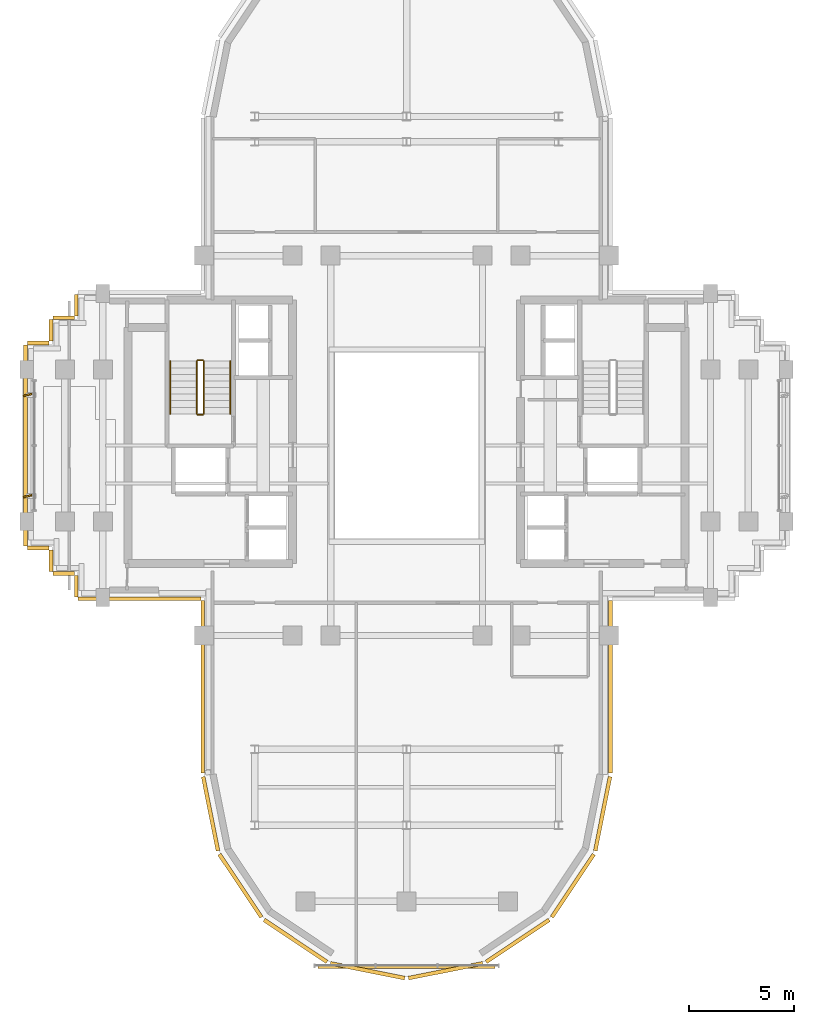
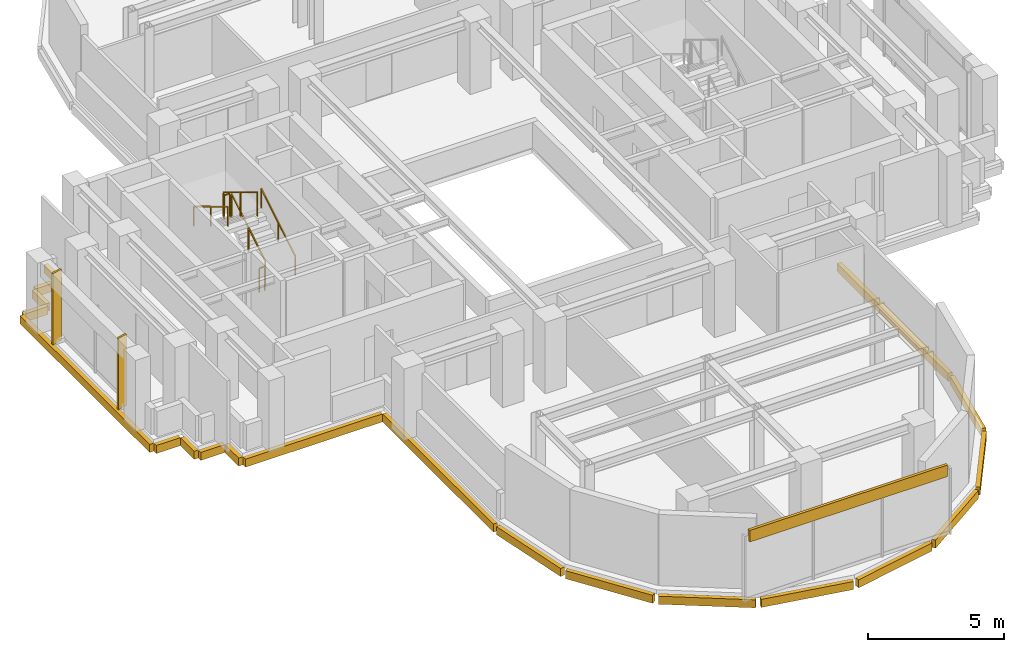
# One storey, part 9 of 11: 21 coverings, 6 railings, 2 shading devices.
"""IFC4 building model written with IfcOpenShell, lengths in metres."""

from ifc_helpers import new_model, si_unit, direction, frame, origin, origin_2d, place, context, subcontext, project, spatial, rectangle, extrude, source, transform, mapped, material, layer, layer_set, type_object, element, save


model = new_model("IFC4")

# Units and contexts
model_context = context("Model", 3, precision=1e-05, world=origin(), true_north=direction((0.0, 1.0)))
body_context = subcontext(model_context, "Body", "Model", "MODEL_VIEW")
ifc_project = project(units=[si_unit("LENGTHUNIT", "METRE"), si_unit("AREAUNIT", "SQUARE_METRE"), si_unit("VOLUMEUNIT", "CUBIC_METRE"), si_unit("PLANEANGLEUNIT", "RADIAN"), si_unit("MASSUNIT", "GRAM", prefix="KILO")], contexts=[model_context])

# Site, building, storey
site_placement = place(None, origin())
site = spatial("IfcSite", under=ifc_project, at=site_placement, CompositionType="ELEMENT")
building_placement = place(site_placement, origin())
building = spatial("IfcBuilding", under=site, at=building_placement, Name="Keilestroom Media Tower", CompositionType="ELEMENT")
storey_placement = place(building_placement, frame((0.0, 0.0, 170.60009765625)))
storey = spatial("IfcBuildingStorey", under=building, at=storey_placement, Name="L46", CompositionType="ELEMENT", Elevation=170.60009765625)

# Railings
ifc_material_1 = material(Name="Brushed Stainless Steel 1.4301", Category="steel")
railing_type_1 = type_object("IfcRailingType", Name="Stair-Pitch-Handrail-920", PredefinedType="HANDRAIL", material=ifc_material_1)
railing_1_placement = place(storey_placement, frame((-8.35009765625, 1.5, 0.188720703125)))
element("IfcRailing", 1, at=railing_1_placement, inside=storey, type_object=railing_type_1, Name="L46 ST-1 stair handrail 1", PredefinedType="HANDRAIL", context=body_context, shape_type="SweptSolid", body=[
    extrude(rectangle(XDim=0.048095703125, YDim=0.048095703125, at=origin_2d()), frame((0.0, 0.0, 0.8759765625), z_axis=(0.0, 0.855433747314, 0.517912255074), x_axis=(-1.0, 0.0, 0.0)), (0.0, 0.0, 1.0), 2.91796875),
    extrude(rectangle(XDim=0.0419921875, YDim=0.0419921875, at=origin_2d()), origin(), (0.0, 0.0, 1.0), 0.84375),
    extrude(rectangle(XDim=0.0419921875, YDim=0.0419921875, at=origin_2d()), frame((0.0, 1.248046875, 0.755615234375)), (0.0, 0.0, 1.0), 0.84375),
    extrude(rectangle(XDim=0.0419921875, YDim=0.0419921875, at=origin_2d()), frame((0.0, 2.49609375, 1.51123046875)), (0.0, 0.0, 1.0), 0.84375),
])
railing_2_placement = place(storey_placement, frame((-11.2099609375, 3.99609375, 1.888671875)))
element("IfcRailing", 2, at=railing_2_placement, inside=storey, type_object=railing_type_1, Name="L46 ST-1 stair handrail 2", PredefinedType="HANDRAIL", context=body_context, shape_type="SweptSolid", body=[
    extrude(rectangle(XDim=0.048095703125, YDim=0.048095703125, at=origin_2d()), frame((0.0, 0.0, 0.8759765625), z_axis=(0.0, -0.855433747314, 0.517912255074), x_axis=(1.0, 0.0, 0.0)), (0.0, 0.0, 1.0), 2.91796875),
    extrude(rectangle(XDim=0.0419921875, YDim=0.0419921875, at=origin_2d()), origin(), (0.0, 0.0, 1.0), 0.84375),
    extrude(rectangle(XDim=0.0419921875, YDim=0.0419921875, at=origin_2d()), frame((0.0, -1.248046875, 0.755615234375)), (0.0, 0.0, 1.0), 0.84375),
    extrude(rectangle(XDim=0.0419921875, YDim=0.0419921875, at=origin_2d()), frame((0.0, -2.49609375, 1.51123046875)), (0.0, 0.0, 1.0), 0.84375),
])
ifc_material_2 = material(Name="Painted Steel Balustrade", Category="steel")
railing_type_2 = type_object("IfcRailingType", Name="Stair-Well-And-Landing-Guard-1100", PredefinedType="GUARDRAIL", material=ifc_material_2)
railing_3_placement = place(storey_placement, frame((-9.610107421875, 1.5, 0.188720703125)))
element("IfcRailing", 3, at=railing_3_placement, inside=storey, type_object=railing_type_2, Name="L46 ST-1 stair guard 1", PredefinedType="GUARDRAIL", context=body_context, shape_type="SweptSolid", body=[
    extrude(rectangle(XDim=0.048095703125, YDim=0.048095703125, at=origin_2d()), frame((0.0, 0.0, 1.076171875), z_axis=(0.0, 0.855433747314, 0.517912255074), x_axis=(-1.0, 0.0, 0.0)), (0.0, 0.0, 1.0), 2.91796875),
    extrude(rectangle(XDim=0.0419921875, YDim=0.0419921875, at=origin_2d()), origin(), (0.0, 0.0, 1.0), 1.0439453125),
    extrude(rectangle(XDim=0.0419921875, YDim=0.0419921875, at=origin_2d()), frame((0.0, 1.248046875, 0.755615234375)), (0.0, 0.0, 1.0), 1.0439453125),
    extrude(rectangle(XDim=0.0419921875, YDim=0.0419921875, at=origin_2d()), frame((0.0, 2.49609375, 1.51123046875)), (0.0, 0.0, 1.0), 1.0439453125),
])
railing_4_placement = place(storey_placement, frame((-9.659912109375, 4.0458984375, 1.699951171875)))
element("IfcRailing", 4, at=railing_4_placement, inside=storey, type_object=railing_type_2, Name="L46 ST-1 stair guard 2", PredefinedType="GUARDRAIL", context=body_context, shape_type="SweptSolid", body=[
    extrude(rectangle(XDim=0.048095703125, YDim=0.048095703125, at=origin_2d()), frame((0.0, 0.0, 1.076171875), z_axis=(-1.0, 0.0, 0.0), x_axis=(0.0, -1.0, 0.0)), (0.0, 0.0, 1.0), 0.239990234375),
    extrude(rectangle(XDim=0.0419921875, YDim=0.0419921875, at=origin_2d()), origin(), (0.0, 0.0, 1.0), 1.0439453125),
    extrude(rectangle(XDim=0.0419921875, YDim=0.0419921875, at=origin_2d()), frame((-0.239990234375, 0.0, 0.0)), (0.0, 0.0, 1.0), 1.0439453125),
])
railing_5_placement = place(storey_placement, frame((-9.949951171875, 3.99609375, 1.888671875)))
element("IfcRailing", 5, at=railing_5_placement, inside=storey, type_object=railing_type_2, Name="L46 ST-1 stair guard 3", PredefinedType="GUARDRAIL", context=body_context, shape_type="SweptSolid", body=[
    extrude(rectangle(XDim=0.048095703125, YDim=0.048095703125, at=origin_2d()), frame((0.0, 0.0, 1.076171875), z_axis=(0.0, -0.855433747314, 0.517912255074), x_axis=(1.0, 0.0, 0.0)), (0.0, 0.0, 1.0), 2.91796875),
    extrude(rectangle(XDim=0.0419921875, YDim=0.0419921875, at=origin_2d()), origin(), (0.0, 0.0, 1.0), 1.0439453125),
    extrude(rectangle(XDim=0.0419921875, YDim=0.0419921875, at=origin_2d()), frame((0.0, -1.248046875, 0.755615234375)), (0.0, 0.0, 1.0), 1.0439453125),
    extrude(rectangle(XDim=0.0419921875, YDim=0.0419921875, at=origin_2d()), frame((0.0, -2.49609375, 1.51123046875)), (0.0, 0.0, 1.0), 1.0439453125),
])
railing_6_placement = place(storey_placement, frame((-9.659912109375, 1.449951171875, 0.0)))
element("IfcRailing", 6, at=railing_6_placement, inside=storey, type_object=railing_type_2, Name="L46 ST-1 stair guard 4", PredefinedType="GUARDRAIL", context=body_context, shape_type="SweptSolid", body=[
    extrude(rectangle(XDim=0.048095703125, YDim=0.048095703125, at=origin_2d()), frame((0.0, 0.0, 1.076171875), z_axis=(-1.0, 0.0, 0.0), x_axis=(0.0, -1.0, 0.0)), (0.0, 0.0, 1.0), 0.239990234375),
    extrude(rectangle(XDim=0.0419921875, YDim=0.0419921875, at=origin_2d()), origin(), (0.0, 0.0, 1.0), 1.0439453125),
    extrude(rectangle(XDim=0.0419921875, YDim=0.0419921875, at=origin_2d()), frame((-0.239990234375, 0.0, 0.0)), (0.0, 0.0, 1.0), 1.0439453125),
])

# Covering
ifc_material_3 = material(Name="Precast concrete C40/50", Category="concrete")
ifc_layer = layer(ifc_material_3, 0.1201171875)
ifc_layer_set = layer_set([ifc_layer], Name="Precast concrete C40/50")
covering_type = type_object("IfcCoveringType", Name="Exterior-Precast-Spandrel-Cladding-Panel-120", PredefinedType="CLADDING", material=ifc_layer_set)
shared_shape_1 = source(origin(), body_context, "Body", "SweptSolid", [
    extrude(rectangle(XDim=8.39990234375, YDim=0.1201171875, at=origin_2d()), origin(), (0.0, 0.0, 1.0), 0.52001953125),
])
covering_1_placement = place(storey_placement, frame((0.0, -24.719970703125, 2.68994140625), z_axis=(0.0, 0.0, 1.0), x_axis=(1.0, 0.0, 0.0)))
element("IfcCovering", 7, at=covering_1_placement, inside=storey, type_object=covering_type, Name="L46 Precast Spandrel Cladding S", PredefinedType="CLADDING", context=body_context, shape_type="MappedRepresentation", body=[
    mapped(shared_shape_1, transform((0.0, 0.0, 0.0), x_axis=(1.0, 0.0, 0.0), y_axis=(0.0, 1.0, 0.0), z_axis=(0.0, 0.0, 1.0), scale=1.0)),
])

# Shading devices
ifc_material_4 = material(Name="Bronze Anodised Aluminium", Category="aluminium")
shading_device_type = type_object("IfcShadingDeviceType", Name="Facade-Vertical-Sunshade-Fin-SHD-1", PredefinedType="USERDEFINED", material=ifc_material_4)
shared_shape_2 = source(origin(), body_context, "Body", "SweptSolid", [
    extrude(rectangle(XDim=0.419921875, YDim=0.080078125, at=origin_2d()), origin(), (0.0, 0.0, 1.0), 3.199951171875),
])
for number, where, z_axis, x_axis, name in (
    (8, (-17.969970703125, -2.39990234375, 0.0), (0.0, 0.0, 1.0), (0.973098510982, 0.230389426677, 0.0), "L46 Twisting Sunshade Fin SHD-1 061"),
    (9, (-17.969970703125, 2.39990234375, 0.0), (0.0, 0.0, 1.0), (0.973098510982, 0.230389426677, 0.0), "L46 Twisting Sunshade Fin SHD-1 062"),
):
    element("IfcShadingDevice", number, at=place(storey_placement, frame(where, z_axis=z_axis, x_axis=x_axis)), inside=storey, type_object=shading_device_type, Name=name, ObjectType="SUNSHADE", PredefinedType="USERDEFINED", context=body_context, shape_type="MappedRepresentation", body=[
        mapped(shared_shape_2, transform((0.0, 0.0, 0.0), x_axis=(1.0, 0.0, 0.0), y_axis=(0.0, 1.0, 0.0), z_axis=(0.0, 0.0, 1.0), scale=1.0)),
    ])

# Coverings
shared_shape_3 = source(origin(), body_context, "Body", "SweptSolid", [
    extrude(rectangle(XDim=1.02001953125, YDim=0.179931640625, at=origin_2d()), origin(), (0.0, 0.0, 1.0), 0.360107421875),
])
for number, where, z_axis, x_axis, name in (
    (10, (-15.659912109375, -6.659912109375, -0.5400390625), (0.0, 0.0, 1.0), (0.0, 1.0, 0.0), "L46 Precast Slab-Edge Fascia Cornice 17"),
    (11, (-16.260009765625, -6.06005859375, -0.5400390625), (0.0, 0.0, 1.0), (-1.0, 0.0, 0.0), "L46 Precast Slab-Edge Fascia Cornice 18"),
    (12, (-16.860107421875, -5.4599609375, -0.5400390625), (0.0, 0.0, 1.0), (0.0, 1.0, 0.0), "L46 Precast Slab-Edge Fascia Cornice 19"),
    (13, (-17.4599609375, -4.860107421875, -0.5400390625), (0.0, 0.0, 1.0), (-1.0, 0.0, 0.0), "L46 Precast Slab-Edge Fascia Cornice 20"),
    (14, (-17.4599609375, 4.860107421875, -0.5400390625), (0.0, 0.0, 1.0), (1.0, 0.0, 0.0), "L46 Precast Slab-Edge Fascia Cornice 22"),
    (15, (-16.860107421875, 5.4599609375, -0.5400390625), (0.0, 0.0, 1.0), (0.0, 1.0, 0.0), "L46 Precast Slab-Edge Fascia Cornice 23"),
    (16, (-16.260009765625, 6.06005859375, -0.5400390625), (0.0, 0.0, 1.0), (1.0, 0.0, 0.0), "L46 Precast Slab-Edge Fascia Cornice 24"),
    (17, (-15.659912109375, 6.659912109375, -0.5400390625), (0.0, 0.0, 1.0), (0.0, 1.0, 0.0), "L46 Precast Slab-Edge Fascia Cornice 25"),
):
    element("IfcCovering", number, at=place(storey_placement, frame(where, z_axis=z_axis, x_axis=x_axis)), inside=storey, type_object=covering_type, Name=name, PredefinedType="CLADDING", context=body_context, shape_type="MappedRepresentation", body=[
        mapped(shared_shape_3, transform((0.0, 0.0, 0.0), x_axis=(1.0, 0.0, 0.0), y_axis=(0.0, 1.0, 0.0), z_axis=(0.0, 0.0, 1.0), scale=1.0)),
    ])
shared_shape_4 = source(origin(), body_context, "Body", "SweptSolid", [
    extrude(rectangle(XDim=8.166015625, YDim=0.179931640625, at=origin_2d()), origin(), (0.0, 0.0, 1.0), 0.360107421875),
])
for number, where, z_axis, x_axis, name in (
    (18, (9.659912109375, -11.43310546875, -0.5400390625), (0.0, 0.0, 1.0), (0.0, -1.0, 0.0), "L46 Precast Slab-Edge Fascia Cornice 06"),
    (19, (-9.659912109375, -11.43310546875, -0.5400390625), (0.0, 0.0, 1.0), (0.0, 1.0, 0.0), "L46 Precast Slab-Edge Fascia Cornice 15"),
):
    element("IfcCovering", number, at=place(storey_placement, frame(where, z_axis=z_axis, x_axis=x_axis)), inside=storey, type_object=covering_type, Name=name, PredefinedType="CLADDING", context=body_context, shape_type="MappedRepresentation", body=[
        mapped(shared_shape_4, transform((0.0, 0.0, 0.0), x_axis=(1.0, 0.0, 0.0), y_axis=(0.0, 1.0, 0.0), z_axis=(0.0, 0.0, 1.0), scale=1.0)),
    ])
shared_shape_5 = source(origin(), body_context, "Body", "SweptSolid", [
    extrude(rectangle(XDim=3.58349609375, YDim=0.179931640625, at=origin_2d()), origin(), (0.0, 0.0, 1.0), 0.360107421875),
])
for number, where, z_axis, x_axis, name in (
    (20, (9.29296875, -17.45166015625, -0.5400390625), (0.0, 0.0, 1.0), (-0.195098880975, -0.980783577882, 0.0), "L46 Precast Slab-Edge Fascia Cornice 07"),
    (21, (-9.29296875, -17.45166015625, -0.5400390625), (0.0, 0.0, 1.0), (-0.195098880975, 0.980783577882, 0.0), "L46 Precast Slab-Edge Fascia Cornice 14"),
):
    element("IfcCovering", number, at=place(storey_placement, frame(where, z_axis=z_axis, x_axis=x_axis)), inside=storey, type_object=covering_type, Name=name, PredefinedType="CLADDING", context=body_context, shape_type="MappedRepresentation", body=[
        mapped(shared_shape_5, transform((0.0, 0.0, 0.0), x_axis=(1.0, 0.0, 0.0), y_axis=(0.0, 1.0, 0.0), z_axis=(0.0, 0.0, 1.0), scale=1.0)),
    ])
shared_shape_6 = source(origin(), body_context, "Body", "SweptSolid", [
    extrude(rectangle(XDim=3.589599609375, YDim=0.179931640625, at=origin_2d()), origin(), (0.0, 0.0, 1.0), 0.360107421875),
])
for number, where, z_axis, x_axis, name in (
    (22, (7.878662109375, -20.8642578125, -0.5400390625), (0.0, 0.0, 1.0), (-0.555574586577, -0.831466703332, 0.0), "L46 Precast Slab-Edge Fascia Cornice 08"),
    (23, (5.264404296875, -23.478515625, -0.5400390625), (0.0, 0.0, 1.0), (-0.831466703332, -0.555574586577, 0.0), "L46 Precast Slab-Edge Fascia Cornice 09"),
    (24, (1.8486328125, -24.893310546875, -0.5400390625), (0.0, 0.0, 1.0), (-0.980783577882, -0.195098880975, 0.0), "L46 Precast Slab-Edge Fascia Cornice 10"),
    (25, (-1.8486328125, -24.893310546875, -0.5400390625), (0.0, 0.0, 1.0), (-0.980783577882, 0.195098880975, 0.0), "L46 Precast Slab-Edge Fascia Cornice 11"),
    (26, (-5.264404296875, -23.478515625, -0.5400390625), (0.0, 0.0, 1.0), (-0.831466703332, 0.555574586577, 0.0), "L46 Precast Slab-Edge Fascia Cornice 12"),
    (27, (-7.878662109375, -20.8642578125, -0.5400390625), (0.0, 0.0, 1.0), (-0.555574586577, 0.831466703332, 0.0), "L46 Precast Slab-Edge Fascia Cornice 13"),
):
    element("IfcCovering", number, at=place(storey_placement, frame(where, z_axis=z_axis, x_axis=x_axis)), inside=storey, type_object=covering_type, Name=name, PredefinedType="CLADDING", context=body_context, shape_type="MappedRepresentation", body=[
        mapped(shared_shape_6, transform((0.0, 0.0, 0.0), x_axis=(1.0, 0.0, 0.0), y_axis=(0.0, 1.0, 0.0), z_axis=(0.0, 0.0, 1.0), scale=1.0)),
    ])
shared_shape_7 = source(origin(), body_context, "Body", "SweptSolid", [
    extrude(rectangle(XDim=9.5400390625, YDim=0.179931640625, at=origin_2d()), origin(), (0.0, 0.0, 1.0), 0.360107421875),
])
covering_2_placement = place(storey_placement, frame((-18.06005859375, 0.0, -0.5400390625), z_axis=(0.0, 0.0, 1.0), x_axis=(0.0, 1.0, 0.0)))
element("IfcCovering", 28, at=covering_2_placement, inside=storey, type_object=covering_type, Name="L46 Precast Slab-Edge Fascia Cornice 21", PredefinedType="CLADDING", context=body_context, shape_type="MappedRepresentation", body=[
    mapped(shared_shape_7, transform((0.0, 0.0, 0.0), x_axis=(1.0, 0.0, 0.0), y_axis=(0.0, 1.0, 0.0), z_axis=(0.0, 0.0, 1.0), scale=1.0)),
])
shared_shape_8 = source(origin(), body_context, "Body", "SweptSolid", [
    extrude(rectangle(XDim=5.820068359375, YDim=0.179931640625, at=origin_2d()), origin(), (0.0, 0.0, 1.0), 0.360107421875),
])
covering_3_placement = place(storey_placement, frame((-12.659912109375, -7.260009765625, -0.5400390625), z_axis=(0.0, 0.0, 1.0), x_axis=(-1.0, 0.0, 0.0)))
element("IfcCovering", 29, at=covering_3_placement, inside=storey, type_object=covering_type, Name="L46 Precast Slab-Edge Fascia Cornice 16", PredefinedType="CLADDING", context=body_context, shape_type="MappedRepresentation", body=[
    mapped(shared_shape_8, transform((0.0, 0.0, 0.0), x_axis=(1.0, 0.0, 0.0), y_axis=(0.0, 1.0, 0.0), z_axis=(0.0, 0.0, 1.0), scale=1.0)),
])

save(model, "model.ifc")
